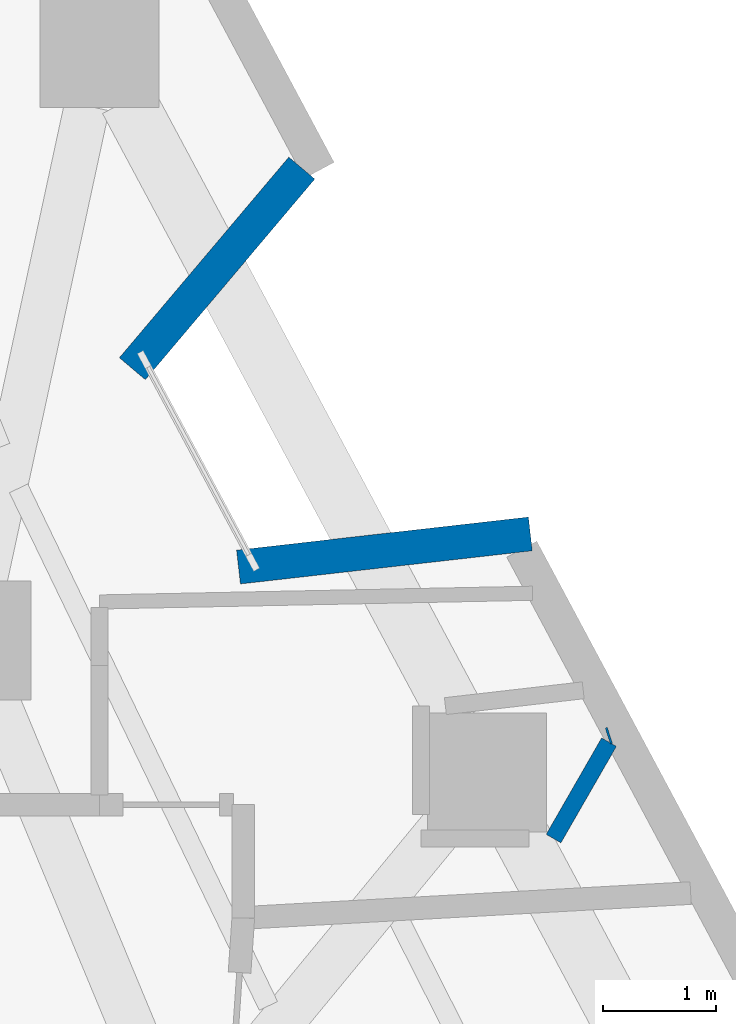
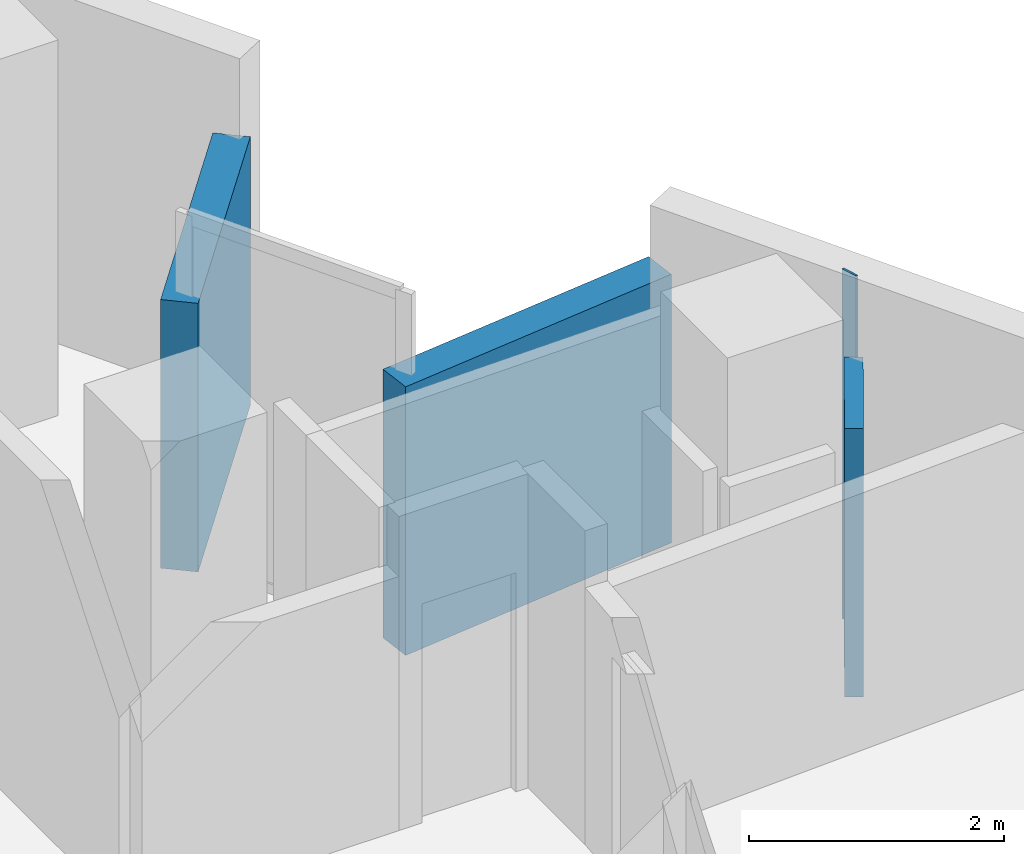
# One storey, part 9 of 12: 4 walls.
"""IFC4 building model written with IfcOpenShell, lengths in metres."""

from ifc_helpers import new_model, si_unit, direction, frame, frame_2d, origin, place, context, subcontext, project, spatial, rectangle, extrude, material, layer, layer_set, type_object, element, save


model = new_model("IFC4")

# Units and contexts
model_context = context("Model", 3, precision=1e-05, world=origin(), true_north=direction((0.0, 1.0)))
body_context = subcontext(model_context, "Body", "Model", "MODEL_VIEW")
ifc_project = project(units=[si_unit("LENGTHUNIT", "METRE"), si_unit("AREAUNIT", "SQUARE_METRE"), si_unit("VOLUMEUNIT", "CUBIC_METRE"), si_unit("PLANEANGLEUNIT", "RADIAN"), si_unit("MASSUNIT", "GRAM", prefix="KILO")], contexts=[model_context])

# Site, building, storey
site_placement = place(None, origin())
site = spatial("IfcSite", under=ifc_project, at=site_placement, CompositionType="ELEMENT")
building_placement = place(site_placement, origin())
building = spatial("IfcBuilding", under=site, at=building_placement, Name="Almagre Mirador Tower", CompositionType="ELEMENT")
storey_placement = place(building_placement, frame((0.0, 0.0, 182.39990234375)))
storey = spatial("IfcBuildingStorey", under=building, at=storey_placement, Name="L47", CompositionType="ELEMENT", Elevation=182.39990234375)

# Walls
ifc_material_1 = material(Name="Precast concrete C50/60", Category="concrete")
ifc_layer_1 = layer(ifc_material_1, 0.300048828125)
ifc_layer_set_1 = layer_set([ifc_layer_1], Name="Precast concrete C50/60")
wall_type_1 = type_object("IfcWallType", Name="WAL-EXT-300", PredefinedType="SOLIDWALL", material=ifc_layer_set_1)
wall_1_placement = place(storey_placement, frame((48.116943359375, 23.371826171875, 0.0), z_axis=(0.0, 0.0, 1.0), x_axis=(-0.645234076177, -0.763984938949, 0.0)))
element("IfcWall", 1, at=wall_1_placement, inside=storey, type_object=wall_type_1, Name="L47 expressed almagre precast frame wall 12", PredefinedType="SOLIDWALL", context=body_context, shape_type="SweptSolid", body=[
    extrude(rectangle(XDim=2.319091796875, YDim=0.300048828125, at=frame_2d((1.15966796875, 0.0))), origin(), (0.0, 0.0, 1.0), 2.5751953125),
])
wall_2_placement = place(storey_placement, frame((47.557861328125, 19.84814453125, 0.0), z_axis=(0.0, 0.0, 1.0), x_axis=(0.993611013473, 0.112859000109, 0.0)))
element("IfcWall", 2, at=wall_2_placement, inside=storey, type_object=wall_type_1, Name="L47 expressed almagre precast frame wall 13", PredefinedType="SOLIDWALL", context=body_context, shape_type="SweptSolid", body=[
    extrude(rectangle(XDim=2.59375, YDim=0.300048828125, at=frame_2d((1.296875, 0.0))), origin(), (0.0, 0.0, 1.0), 2.5751953125),
])
ifc_material_2 = material(Name="Gypsum acoustic stud partition", Category="other")
ifc_layer_2 = layer(ifc_material_2, 0.14990234375)
ifc_layer_set_2 = layer_set([ifc_layer_2], Name="Gypsum acoustic stud partition")
wall_type_2 = type_object("IfcWallType", Name="WAL-PRT-150-STD", PredefinedType="PARTITIONING", material=ifc_layer_set_2)
wall_3_placement = place(storey_placement, frame((50.837890625, 18.362060546875, 0.0), z_axis=(0.0, 0.0, 1.0), x_axis=(-0.95112480189, -0.30880675386, 0.0)))
element("IfcWall", 3, at=wall_3_placement, inside=storey, type_object=wall_type_2, Name="L47 interior partition 054", PredefinedType="PARTITIONING", context=body_context, shape_type="SweptSolid", body=[
    extrude(rectangle(XDim=0.019775390625, YDim=0.14990234375, at=frame_2d((0.009765625, 0.0))), origin(), (0.0, 0.0, 1.0), 3.35009765625),
])
wall_4_placement = place(storey_placement, frame((50.830078125, 18.302001953125, 0.0), z_axis=(0.0, 0.0, 1.0), x_axis=(-0.498517791367, -0.866879467798, 0.0)))
element("IfcWall", 4, at=wall_4_placement, inside=storey, type_object=wall_type_2, Name="L47 interior partition 055", PredefinedType="PARTITIONING", context=body_context, shape_type="SweptSolid", body=[
    extrude(rectangle(XDim=0.98291015625, YDim=0.14990234375, at=frame_2d((0.491455078125, 0.0))), origin(), (0.0, 0.0, 1.0), 2.570068359375),
])

save(model, "model.ifc")
